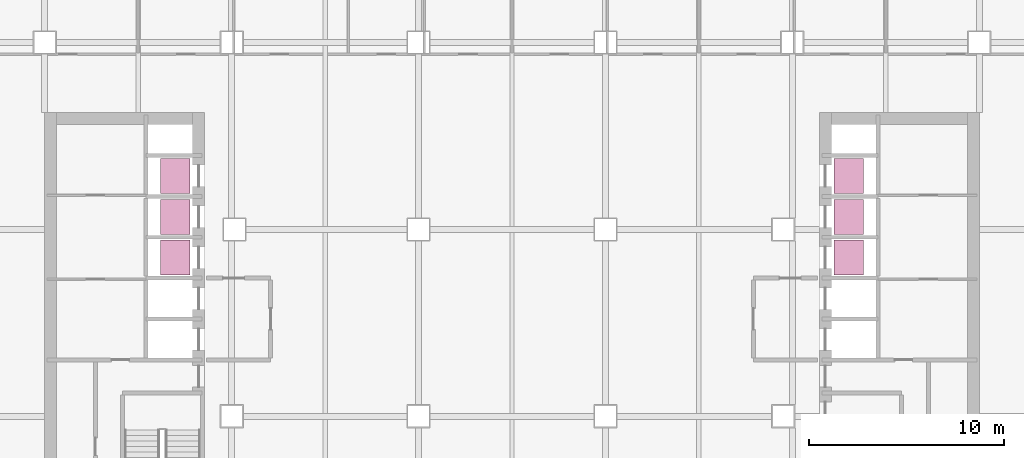
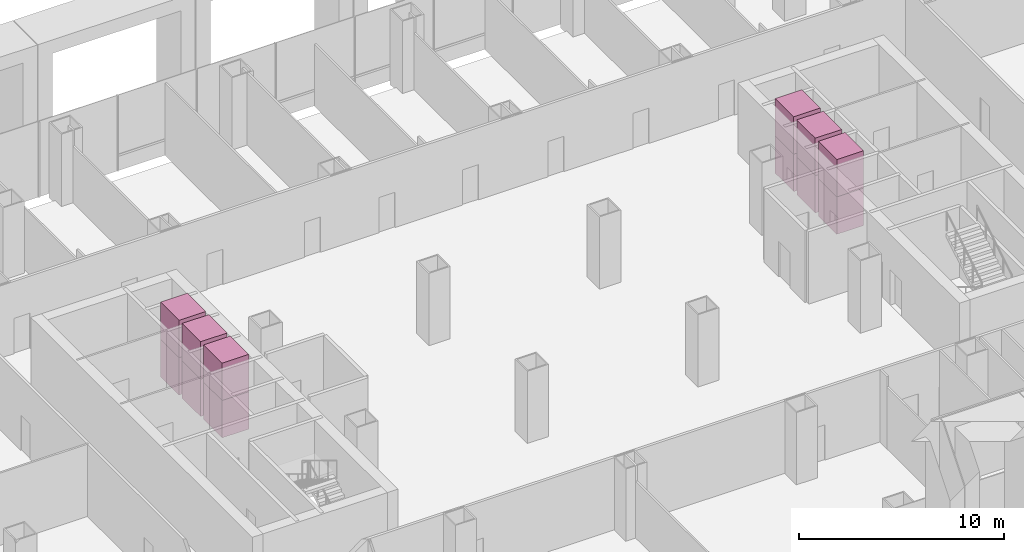
# One storey, part 23 of 23: 12 transport elements.
"""IFC4 building model written with IfcOpenShell, lengths in metres."""

from ifc_helpers import new_model, si_unit, direction, frame, origin, origin_2d, place, context, subcontext, project, spatial, rectangle, extrude, material, type_object, element, save


model = new_model("IFC4")

# Units and contexts
model_context = context("Model", 3, precision=1e-05, world=origin(), true_north=direction((0.0, 1.0)))
body_context = subcontext(model_context, "Body", "Model", "MODEL_VIEW")
ifc_project = project(units=[si_unit("LENGTHUNIT", "METRE"), si_unit("AREAUNIT", "SQUARE_METRE"), si_unit("VOLUMEUNIT", "CUBIC_METRE"), si_unit("PLANEANGLEUNIT", "RADIAN"), si_unit("MASSUNIT", "GRAM", prefix="KILO")], contexts=[model_context])

# Site, building, storey
site_placement = place(None, origin())
site = spatial("IfcSite", under=ifc_project, at=site_placement, CompositionType="ELEMENT")
building_placement = place(site_placement, origin())
building = spatial("IfcBuilding", under=site, at=building_placement, Name="Cobrizo Arcos Hotel Tower", CompositionType="ELEMENT")
storey_placement = place(building_placement, frame((0.0, 0.0, 15.5)))
storey = spatial("IfcBuildingStorey", under=building, at=storey_placement, Name="L02", CompositionType="ELEMENT", Elevation=15.5)

# Transport elements
ifc_material = material(Name="Stainless steel car", Category="steel")
transport_element_type = type_object("IfcTransportElementType", Name="Lift car Low 1.8x1.5", PredefinedType="ELEVATOR", material=ifc_material)
for number, where, z_axis, x_axis, name in (
    (1, (-17.300048828125, 3.35009765625, 0.0), (0.0, 0.0, 1.0), (1.0, 0.0, 0.0), "Low-rise passenger lift W1"),
    (2, (-17.300048828125, 3.35009765625, 2.224853515625), (0.0, 0.0, 1.0), (1.0, 0.0, 0.0), "Low-rise passenger lift W1"),
    (3, (-17.300048828125, 5.449951171875, 0.0), (0.0, 0.0, 1.0), (1.0, 0.0, 0.0), "Low-rise passenger lift W2"),
    (4, (-17.300048828125, 5.449951171875, 2.224853515625), (0.0, 0.0, 1.0), (1.0, 0.0, 0.0), "Low-rise passenger lift W2"),
    (5, (-17.300048828125, 7.550048828125, 0.0), (0.0, 0.0, 1.0), (1.0, 0.0, 0.0), "Low-rise passenger lift W3"),
    (6, (-17.300048828125, 7.550048828125, 2.224853515625), (0.0, 0.0, 1.0), (1.0, 0.0, 0.0), "Low-rise passenger lift W3"),
    (7, (17.300048828125, 3.35009765625, 0.0), (0.0, 0.0, 1.0), (1.0, 0.0, 0.0), "Low-rise passenger lift E1"),
    (8, (17.300048828125, 3.35009765625, 2.224853515625), (0.0, 0.0, 1.0), (1.0, 0.0, 0.0), "Low-rise passenger lift E1"),
    (9, (17.300048828125, 5.449951171875, 0.0), (0.0, 0.0, 1.0), (1.0, 0.0, 0.0), "Low-rise passenger lift E2"),
    (10, (17.300048828125, 5.449951171875, 2.224853515625), (0.0, 0.0, 1.0), (1.0, 0.0, 0.0), "Low-rise passenger lift E2"),
    (11, (17.300048828125, 7.550048828125, 0.0), (0.0, 0.0, 1.0), (1.0, 0.0, 0.0), "Low-rise passenger lift E3"),
    (12, (17.300048828125, 7.550048828125, 2.224853515625), (0.0, 0.0, 1.0), (1.0, 0.0, 0.0), "Low-rise passenger lift E3"),
):
    element("IfcTransportElement", number, at=place(storey_placement, frame(where, z_axis=z_axis, x_axis=x_axis)), inside=storey, type_object=transport_element_type, Name=name, PredefinedType="ELEVATOR", context=body_context, shape_type="SweptSolid", body=[
        extrude(rectangle(XDim=1.5, YDim=1.800048828125, at=origin_2d()), origin(), (0.0, 0.0, 1.0), 2.22509765625),
    ])

save(model, "model.ifc")
